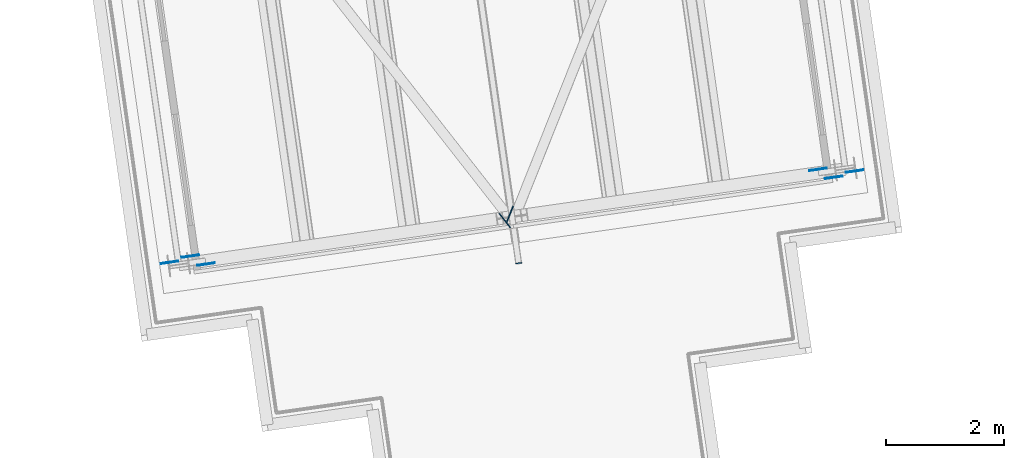
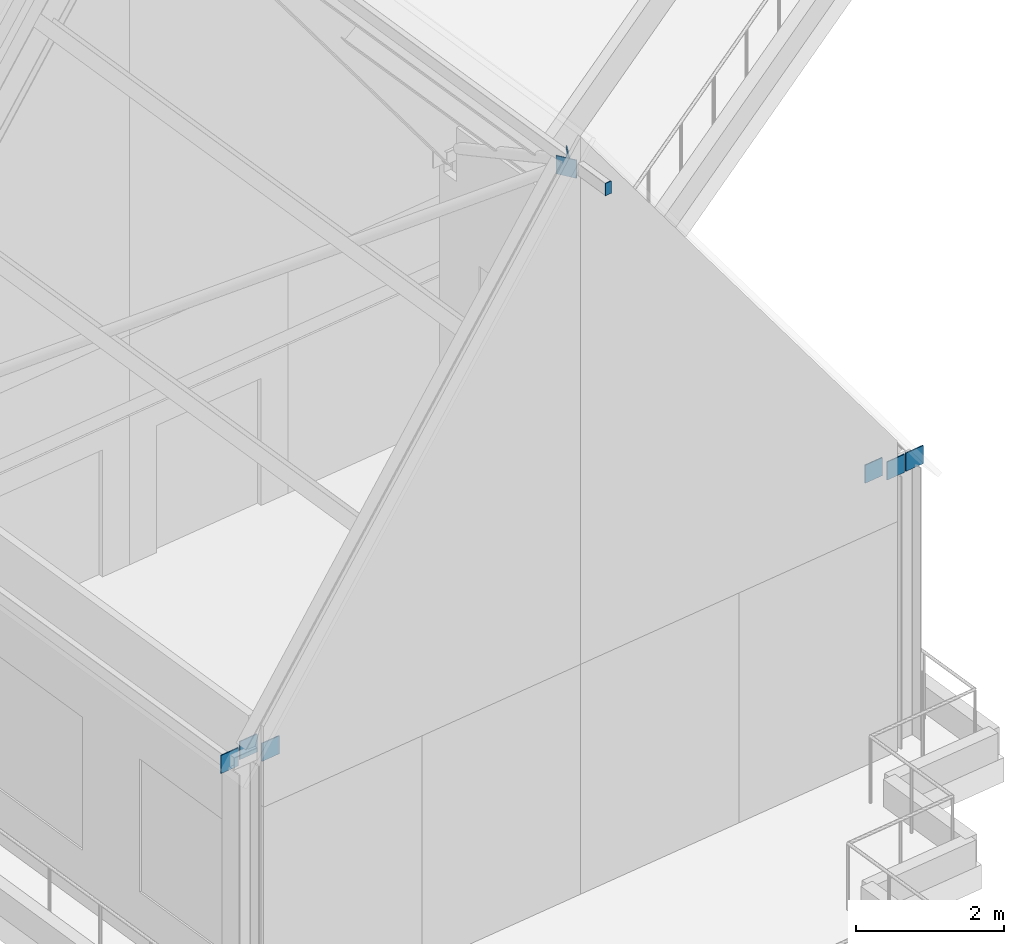
# One storey, part 18 of 32: 9 discrete accessories.
"""IFC4 building model written with IfcOpenShell, lengths in metres."""

from ifc_helpers import new_model, si_unit, direction, frame, origin, origin_2d, place, context, subcontext, project, spatial, rectangle, extrude, element, save


model = new_model("IFC4")

# Units and contexts
model_context = context("Model", 3, precision=1e-05, world=origin(), true_north=direction((0.0, 1.0)))
body_context = subcontext(model_context, "Body", "Model", "MODEL_VIEW")
ifc_project = project(units=[si_unit("LENGTHUNIT", "METRE"), si_unit("AREAUNIT", "SQUARE_METRE"), si_unit("VOLUMEUNIT", "CUBIC_METRE"), si_unit("PLANEANGLEUNIT", "RADIAN"), si_unit("MASSUNIT", "GRAM", prefix="KILO")], contexts=[model_context])

# Site, building, storey
site_placement = place(None, origin())
site = spatial("IfcSite", under=ifc_project, at=site_placement, CompositionType="ELEMENT")
building_placement = place(site_placement, origin())
building = spatial("IfcBuilding", under=site, at=building_placement, Name="Verdalira Terraces Hotel", CompositionType="ELEMENT")
storey_placement = place(building_placement, frame((0.0, 0.0, 315.0)))
storey = spatial("IfcBuildingStorey", under=building, at=storey_placement, Name="L78", CompositionType="ELEMENT", Elevation=315.0)

# Discrete accessories
discrete_accessory_placement = place(storey_placement, frame((4.824219, -33.643799, 12.0), z_axis=(0.141421356, -0.989949494, 0.0), x_axis=(0.989949494, 0.141421356, 0.0)))
element("IfcDiscreteAccessory", 1, at=discrete_accessory_placement, inside=storey, Name="End cap plate", PredefinedType="ANCHORPLATE", context=body_context, shape_type="SweptSolid", body=[
    extrude(rectangle(XDim=0.101562, YDim=0.203125, at=origin_2d()), origin(), (0.0, 0.0, 1.0), 0.011963),
])
for number, where, z_axis, x_axis, name in (
    (2, (-1.086914, -33.635986, 4.45166), (0.0, 0.0, 1.0), (0.989875563, 0.141937905, 0.0), "Connection plate"),
    (3, (-0.733643, -33.531006, 4.493652), (0.0, 0.0, 1.0), (0.989875563, 0.141937905, 0.0), "Connection plate"),
    (4, (-0.467285, -33.666016, 4.45166), (0.0, 0.0, 1.0), (-0.989875563, -0.141937905, 0.0), "Connection plate"),
    (5, (4.5896, -32.927734, 11.850098), (0.0, 0.0, 1.0), (-0.616142729, 0.78763452, 0.0), "Connection plate"),
    (6, (4.677002, -32.82251, 11.850098), (0.0, 0.0, 1.0), (0.369989991, 0.92903574, 0.0), "Connection plate"),
    (7, (9.891846, -32.061768, 4.45166), (0.0, 0.0, 1.0), (0.989875563, 0.141937905, 0.0), "Connection plate"),
    (8, (10.158203, -32.196777, 4.493652), (0.0, 0.0, 1.0), (-0.989875563, -0.141937905, 0.0), "Connection plate"),
    (9, (10.511475, -32.091797, 4.45166), (0.0, 0.0, 1.0), (-0.989875563, -0.141937905, 0.0), "Connection plate"),
):
    element("IfcDiscreteAccessory", number, at=place(storey_placement, frame(where, z_axis=z_axis, x_axis=x_axis)), inside=storey, Name=name, PredefinedType="BRACKET", context=body_context, shape_type="SweptSolid", body=[
        extrude(rectangle(XDim=0.300049, YDim=0.016113, at=origin_2d()), origin(), (0.0, 0.0, 1.0), 0.300049),
    ])

save(model, "model.ifc")
